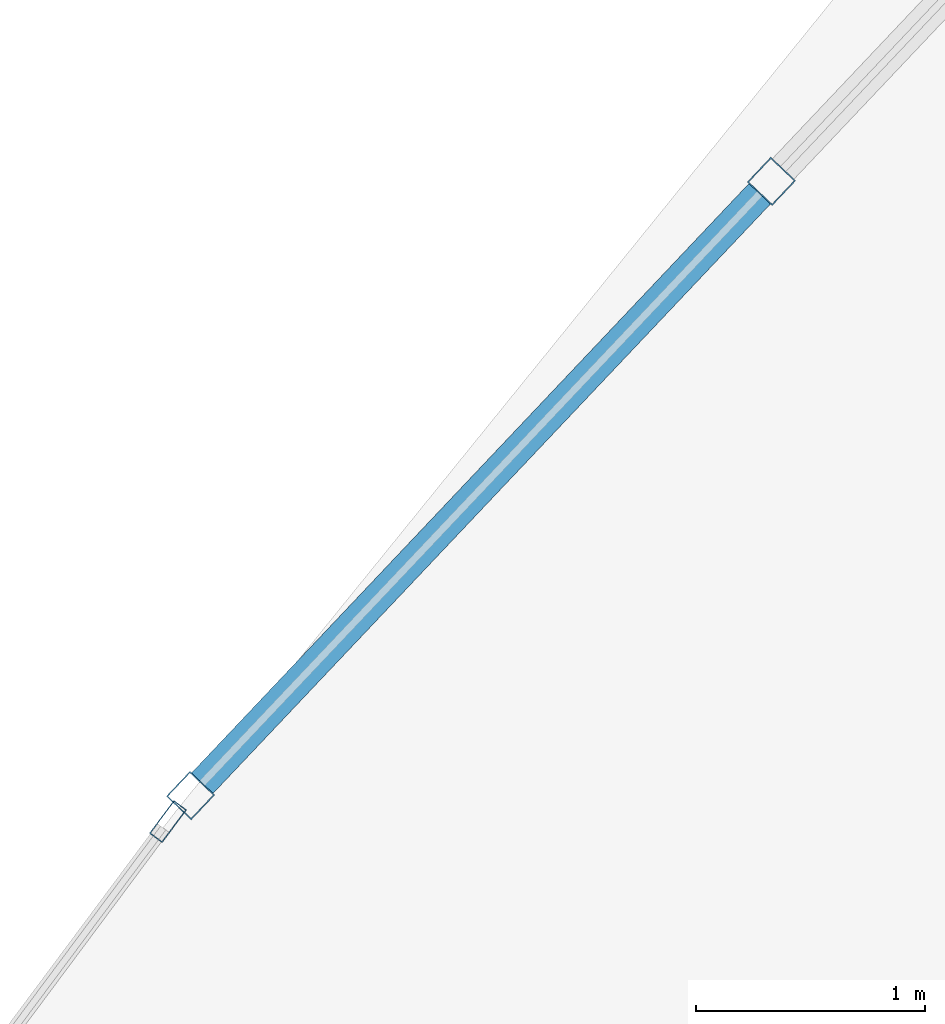
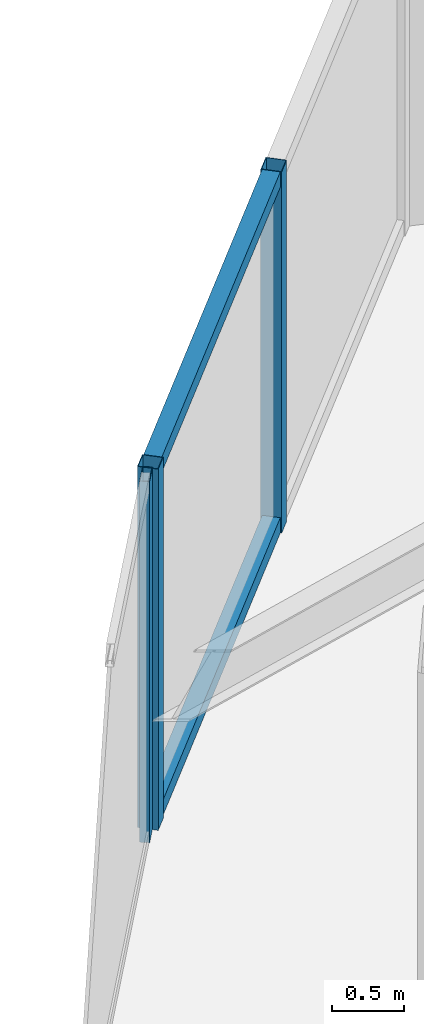
# One storey, part 19 of 31: 5 members, 2 elements without a shape of their own.
"""IFC4 building model written with IfcOpenShell, lengths in metres."""

from ifc_helpers import new_model, si_unit, direction, frame, origin, origin_2d, place, context, subcontext, project, spatial, hollow_rectangle, extrude, material, layer, layer_set, material_profile, profile_set, type_object, element, aggregate, save


model = new_model("IFC4")

# Units and contexts
model_context = context("Model", 3, precision=1e-05, world=origin(), true_north=direction((0.0, 1.0)))
body_context = subcontext(model_context, "Body", "Model", "MODEL_VIEW")
ifc_project = project(units=[si_unit("LENGTHUNIT", "METRE"), si_unit("AREAUNIT", "SQUARE_METRE"), si_unit("VOLUMEUNIT", "CUBIC_METRE"), si_unit("PLANEANGLEUNIT", "RADIAN"), si_unit("MASSUNIT", "GRAM", prefix="KILO")], contexts=[model_context])

# Site, building, storey
site_placement = place(None, origin())
site = spatial("IfcSite", under=ifc_project, at=site_placement, CompositionType="ELEMENT")
building_placement = place(site_placement, origin())
building = spatial("IfcBuilding", under=site, at=building_placement, Name="Orvanel Arch Residences", CompositionType="ELEMENT")
storey_placement = place(building_placement, frame((0.0, 0.0, 110.0)))
storey = spatial("IfcBuildingStorey", under=building, at=storey_placement, Name="L30", CompositionType="ELEMENT", Elevation=110.0)

# Curtain wall, members
ifc_material = material(Name="Bronze-anodised aluminium AA6063-T6", Category="aluminium")
ifc_layer_1 = layer(ifc_material, 0.18994140625)
ifc_layer_set_1 = layer_set([ifc_layer_1], Name="Bronze-anodised aluminium AA6063-T6")
curtain_wall_type_1 = type_object("IfcCurtainWallType", Name="CW5-CRN-SYS", PredefinedType="NOTDEFINED", material=ifc_layer_set_1)
curtain_wall_1_placement = place(storey_placement, origin())
curtain_wall_1 = element("IfcCurtainWall", 1, at=curtain_wall_1_placement, inside=storey, type_object=curtain_wall_type_1, Name="L30 CW5-CRN-SYS Unitised Curtain Wall", PredefinedType="NOTDEFINED")
ifc_material_profile_1 = material_profile(ifc_material, hollow_rectangle(XDim=0.14990234375, YDim=0.14990234375, WallThickness=0.0048828125, at=origin_2d()), Name="ALU150x150x5")
ifc_profile_set_1 = profile_set([ifc_material_profile_1], Name="Bronze-anodised aluminium AA6063-T6")
member_type_1 = type_object("IfcMemberType", Name="MUL-150x150", PredefinedType="MULLION", material=ifc_profile_set_1)
member_1_placement = place(storey_placement, frame((29.638916015625, 46.780517578125, 0.0), z_axis=(0.0, 0.0, 1.0), x_axis=(0.7265167041, -0.687148803873, 0.0)))
member_1 = element("IfcMember", 2, at=member_1_placement, type_object=member_type_1, Name="CW-S5 mullion 2", PredefinedType="MULLION", context=body_context, shape_type="SweptSolid", body=[
    extrude(hollow_rectangle(XDim=0.14990234375, YDim=0.14990234375, WallThickness=0.0048828125, at=origin_2d()), origin(), (0.0, 0.0, 1.0), 3.06005859375),
])
member_2_placement = place(storey_placement, frame((27.0986328125, 44.094482421875, 0.0), z_axis=(0.0, 0.0, 1.0), x_axis=(0.7265167041, -0.687148803873, 0.0)))
member_2 = element("IfcMember", 3, at=member_2_placement, type_object=member_type_1, Name="CW-S5 mullion 3", PredefinedType="MULLION", context=body_context, shape_type="SweptSolid", body=[
    extrude(hollow_rectangle(XDim=0.14990234375, YDim=0.14990234375, WallThickness=0.0048828125, at=origin_2d()), origin(), (0.0, 0.0, 1.0), 3.06005859375),
])

# Curtain wall, member
ifc_layer_2 = layer(ifc_material, 0.179931640625)
ifc_layer_set_2 = layer_set([ifc_layer_2], Name="Bronze-anodised aluminium AA6063-T6")
curtain_wall_type_2 = type_object("IfcCurtainWallType", Name="CW3-MID-SYS", PredefinedType="NOTDEFINED", material=ifc_layer_set_2)
curtain_wall_2_placement = place(storey_placement, origin())
curtain_wall_2 = element("IfcCurtainWall", 4, at=curtain_wall_2_placement, inside=storey, type_object=curtain_wall_type_2, Name="L30 CW3-MID-SYS Unitised Curtain Wall", PredefinedType="NOTDEFINED")
ifc_material_profile_2 = material_profile(ifc_material, hollow_rectangle(XDim=0.070068359375, YDim=0.179931640625, WallThickness=0.00439453125, at=origin_2d()), Name="ALU180x70x4.5")
ifc_profile_set_2 = profile_set([ifc_material_profile_2], Name="Bronze-anodised aluminium AA6063-T6")
member_type_2 = type_object("IfcMemberType", Name="MUL-180x70", PredefinedType="MULLION", material=ifc_profile_set_2)
member_3_placement = place(storey_placement, frame((27.0, 43.98095703125, 0.0), z_axis=(0.0, 0.0, 1.0), x_axis=(0.802267592094, -0.596964580755, 0.0)))
member_3 = element("IfcMember", 5, at=member_3_placement, type_object=member_type_2, Name="CW-S3 mullion 1", PredefinedType="MULLION", context=body_context, shape_type="SweptSolid", body=[
    extrude(hollow_rectangle(XDim=0.070068359375, YDim=0.179931640625, WallThickness=0.00439453125, at=origin_2d()), origin(), (0.0, 0.0, 1.0), 3.06005859375),
])
aggregate(curtain_wall_2, [member_3])

# Member
ifc_material_profile_3 = material_profile(ifc_material, hollow_rectangle(XDim=0.1298828125, YDim=0.1298828125, WallThickness=0.00439453125, at=origin_2d()), Name="ALU130x130x4.5")
ifc_profile_set_3 = profile_set([ifc_material_profile_3], Name="Bronze-anodised aluminium AA6063-T6")
member_type_3 = type_object("IfcMemberType", Name="TRN-130x130", PredefinedType="USERDEFINED", material=ifc_profile_set_3)
member_4_placement = place(storey_placement, frame((29.58740234375, 46.72607421875, 0.06494140625), z_axis=(-0.687112473638, -0.726551063981, 0.0), x_axis=(0.726551063981, -0.687112473638, 0.0)))
member_4 = element("IfcMember", 6, at=member_4_placement, type_object=member_type_3, Name="CW-S5 transom 2.1", ObjectType="TRANSOM", PredefinedType="USERDEFINED", context=body_context, shape_type="SweptSolid", body=[
    extrude(hollow_rectangle(XDim=0.1298828125, YDim=0.1298828125, WallThickness=0.00439453125, at=origin_2d()), origin(), (0.0, 0.0, 1.0), 3.547119140625),
])

member_5_placement = place(storey_placement, frame((29.58740234375, 46.72607421875, 2.9951171875), z_axis=(-0.687112473638, -0.726551063981, 0.0), x_axis=(0.726551063981, -0.687112473638, 0.0)))
member_5 = element("IfcMember", 7, at=member_5_placement, type_object=member_type_3, Name="CW-S5 transom 2.2", ObjectType="TRANSOM", PredefinedType="USERDEFINED", context=body_context, shape_type="SweptSolid", body=[
    extrude(hollow_rectangle(XDim=0.1298828125, YDim=0.1298828125, WallThickness=0.00439453125, at=origin_2d()), origin(), (0.0, 0.0, 1.0), 3.547119140625),
])

aggregate(curtain_wall_1, [member_1, member_2, member_4, member_5])

save(model, "model.ifc")
